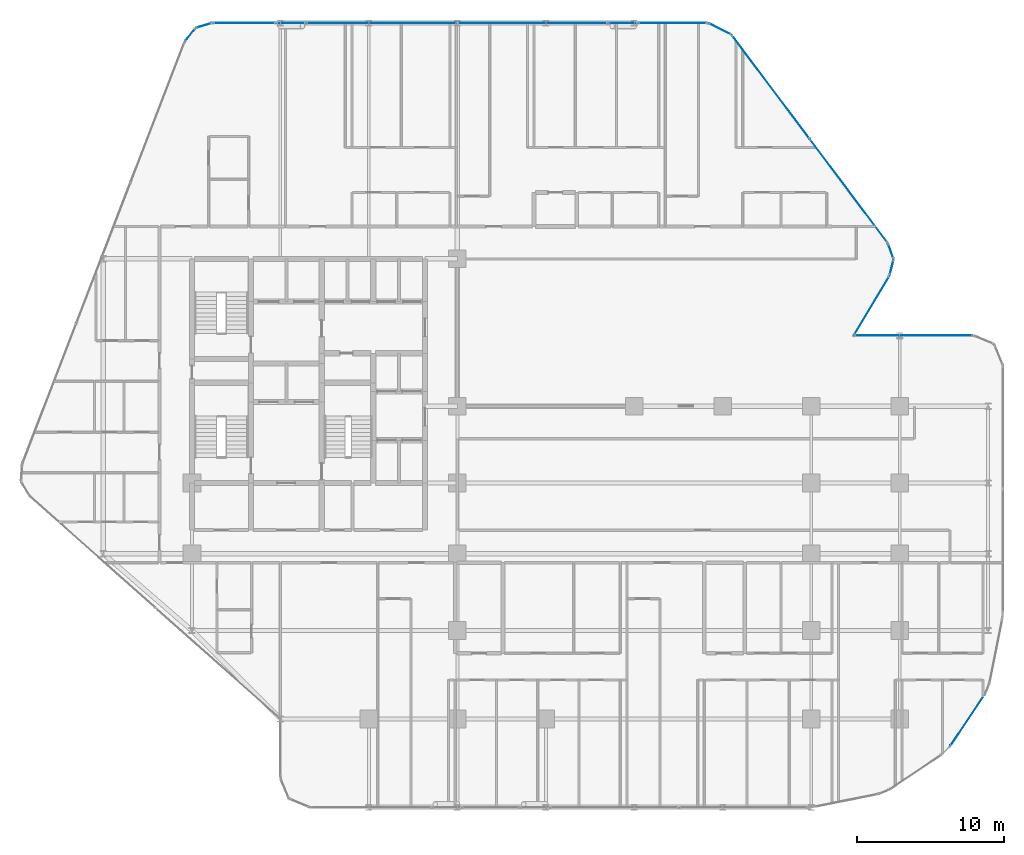
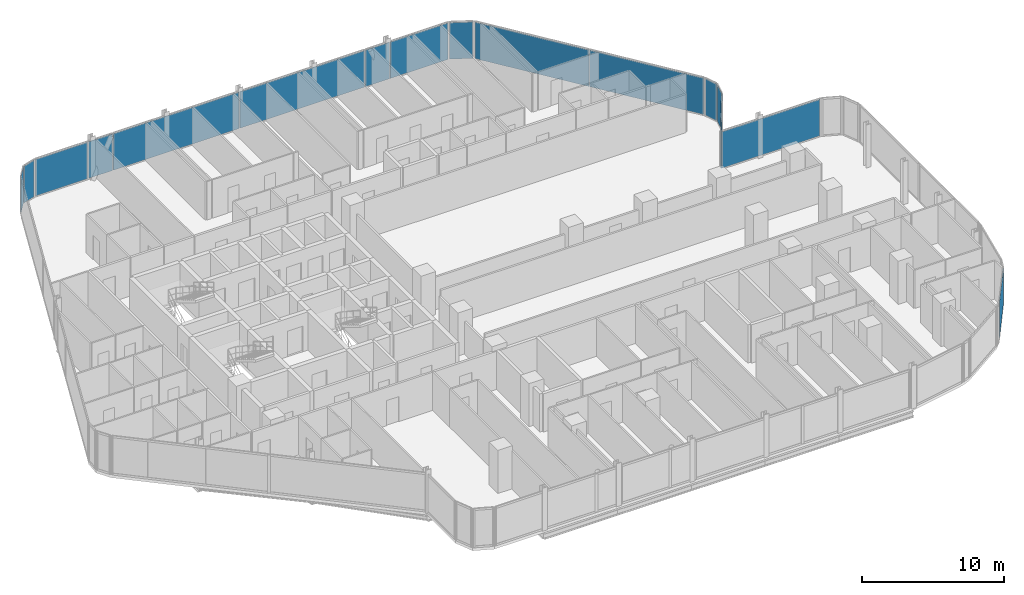
# One storey, part 24 of 33: 16 plates, 14 elements without a shape of their own.
"""IFC4 building model written with IfcOpenShell, lengths in metres."""

from ifc_helpers import new_model, si_unit, direction, frame, origin, origin_2d, place, context, subcontext, project, spatial, rectangle, extrude, material, layer, layer_set, type_object, element, aggregate, save


model = new_model("IFC4")

# Units and contexts
model_context = context("Model", 3, precision=1e-05, world=origin(), true_north=direction((0.0, 1.0)))
body_context = subcontext(model_context, "Body", "Model", "MODEL_VIEW")
ifc_project = project(units=[si_unit("LENGTHUNIT", "METRE"), si_unit("AREAUNIT", "SQUARE_METRE"), si_unit("VOLUMEUNIT", "CUBIC_METRE"), si_unit("PLANEANGLEUNIT", "RADIAN"), si_unit("MASSUNIT", "GRAM", prefix="KILO")], contexts=[model_context])

# Site, building, storey
site_placement = place(None, origin())
site = spatial("IfcSite", under=ifc_project, at=site_placement, CompositionType="ELEMENT")
building_placement = place(site_placement, origin())
building = spatial("IfcBuilding", under=site, at=building_placement, Name="Keshet Zoharim Tower", CompositionType="ELEMENT")
storey_placement = place(building_placement, frame((0.0, 0.0, 57.300048828125)))
storey = spatial("IfcBuildingStorey", under=building, at=storey_placement, Name="L13", CompositionType="ELEMENT", Elevation=57.300048828125)

# Curtain wall, plate
ifc_material_1 = material(Name="Aluminium 6063-T6", Category="aluminium")
ifc_layer_1 = layer(ifc_material_1, 0.179931640625)
ifc_layer_set_1 = layer_set([ifc_layer_1], Name="Aluminium 6063-T6")
curtain_wall_type_1 = type_object("IfcCurtainWallType", Name="CW-SYS-01", PredefinedType="NOTDEFINED", material=ifc_layer_set_1)
curtain_wall_1_placement = place(storey_placement, origin())
curtain_wall_1 = element("IfcCurtainWall", 1, at=curtain_wall_1_placement, inside=storey, type_object=curtain_wall_type_1, Name="L13 Unitised Curtain Wall 05", PredefinedType="NOTDEFINED")
ifc_material_2 = material(Name="Insulated Low-E Clear Glass", Category="glass")
ifc_layer_2 = layer(ifc_material_2, 0.035888671875)
ifc_layer_set_2 = layer_set([ifc_layer_2], Name="Insulated Low-E Clear Glass")
plate_type_1 = type_object("IfcPlateType", Name="CWP-01", PredefinedType="CURTAIN_PANEL", material=ifc_layer_set_2)
plate_1_placement = place(storey_placement, frame((14.8740234375, 53.08349609375, 0.06982421875), z_axis=(0.0, 0.0, 1.0), x_axis=(0.619124525989, 0.785292825205, 0.0)))
plate_1 = element("IfcPlate", 2, at=plate_1_placement, type_object=plate_type_1, Name="CW-01 panel 1.1", PredefinedType="CURTAIN_PANEL", context=body_context, shape_type="SweptSolid", body=[
    extrude(rectangle(XDim=1.045654296875, YDim=0.035888671875, at=origin_2d()), origin(), (0.0, 0.0, 1.0), 3.139892578125),
])
aggregate(curtain_wall_1, [plate_1])

curtain_wall_2_placement = place(storey_placement, origin())
curtain_wall_2 = element("IfcCurtainWall", 3, at=curtain_wall_2_placement, inside=storey, type_object=curtain_wall_type_1, Name="L13 Unitised Curtain Wall 06", PredefinedType="NOTDEFINED")
plate_2_placement = place(storey_placement, frame((15.8076171875, 53.724609375, 0.06982421875), z_axis=(0.0, 0.0, 1.0), x_axis=(0.955212151288, 0.295921857984, 0.0)))
plate_2 = element("IfcPlate", 4, at=plate_2_placement, type_object=plate_type_1, Name="CW-01 panel 1.1", PredefinedType="CURTAIN_PANEL", context=body_context, shape_type="SweptSolid", body=[
    extrude(rectangle(XDim=1.046142578125, YDim=0.035888671875, at=origin_2d()), origin(), (0.0, 0.0, 1.0), 3.139892578125),
])
aggregate(curtain_wall_2, [plate_2])

curtain_wall_3_placement = place(storey_placement, origin())
curtain_wall_3 = element("IfcCurtainWall", 5, at=curtain_wall_3_placement, inside=storey, type_object=curtain_wall_type_1, Name="L13 Unitised Curtain Wall 12", PredefinedType="NOTDEFINED")
plate_3_placement = place(storey_placement, frame((61.093994140625, 34.723388671875, 0.06982421875), z_axis=(0.0, 0.0, 1.0), x_axis=(-0.51446459506, -0.857511621163, 0.0)))
plate_3 = element("IfcPlate", 6, at=plate_3_placement, type_object=plate_type_1, Name="CW-01 panel 1.1", PredefinedType="CURTAIN_PANEL", context=body_context, shape_type="SweptSolid", body=[
    extrude(rectangle(XDim=4.57958984375, YDim=0.035888671875, at=origin_2d()), origin(), (0.0, 0.0, 1.0), 3.139892578125),
])
aggregate(curtain_wall_3, [plate_3])

curtain_wall_4_placement = place(storey_placement, origin())
curtain_wall_4 = element("IfcCurtainWall", 7, at=curtain_wall_4_placement, inside=storey, type_object=curtain_wall_type_1, Name="L13 Unitised Curtain Wall 20", PredefinedType="NOTDEFINED")
plate_4_placement = place(storey_placement, frame((67.60107421875, 6.615966796875, 0.06982421875), z_axis=(0.0, 0.0, 1.0), x_axis=(-0.555563243758, -0.831474282335, 0.0)))
plate_4 = element("IfcPlate", 8, at=plate_4_placement, type_object=plate_type_1, Name="CW-01 panel 1.1", PredefinedType="CURTAIN_PANEL", context=body_context, shape_type="SweptSolid", body=[
    extrude(rectangle(XDim=4.13671875, YDim=0.035888671875, at=origin_2d()), origin(), (0.0, 0.0, 1.0), 3.139892578125),
])
aggregate(curtain_wall_4, [plate_4])

ifc_layer_3 = layer(ifc_material_1, 0.169921875)
ifc_layer_set_3 = layer_set([ifc_layer_3], Name="Aluminium 6063-T6")
curtain_wall_type_2 = type_object("IfcCurtainWallType", Name="CW-SYS-02", PredefinedType="NOTDEFINED", material=ifc_layer_set_3)
curtain_wall_5_placement = place(storey_placement, origin())
curtain_wall_5 = element("IfcCurtainWall", 9, at=curtain_wall_5_placement, inside=storey, type_object=curtain_wall_type_2, Name="L13 Unitised Curtain Wall 07", PredefinedType="NOTDEFINED")
ifc_layer_4 = layer(ifc_material_2, 0.031982421875)
ifc_layer_set_4 = layer_set([ifc_layer_4], Name="Insulated Low-E Clear Glass")
plate_type_2 = type_object("IfcPlateType", Name="CWP-02", PredefinedType="CURTAIN_PANEL", material=ifc_layer_set_4)
plate_5_placement = place(storey_placement, frame((18.55615234375, 53.89990234375, 0.06982421875), z_axis=(0.0, 0.0, 1.0), x_axis=(1.0, 0.0, 0.0)))
plate_5 = element("IfcPlate", 10, at=plate_5_placement, type_object=plate_type_2, Name="CW-02 panel 1.1", PredefinedType="CURTAIN_PANEL", context=body_context, shape_type="SweptSolid", body=[
    extrude(rectangle(XDim=4.224365234375, YDim=0.031982421875, at=origin_2d()), origin(), (0.0, 0.0, 1.0), 3.139892578125),
])
aggregate(curtain_wall_5, [plate_5])

# Curtain wall, plates
curtain_wall_6_placement = place(storey_placement, origin())
curtain_wall_6 = element("IfcCurtainWall", 11, at=curtain_wall_6_placement, inside=storey, type_object=curtain_wall_type_2, Name="L13 Unitised Curtain Wall 07 Part 3", PredefinedType="NOTDEFINED")
plate_6_placement = place(storey_placement, frame((27.86328125, 53.89990234375, 0.06982421875), z_axis=(0.0, 0.0, 1.0), x_axis=(1.0, 0.0, 0.0)))
plate_6 = element("IfcPlate", 12, at=plate_6_placement, type_object=plate_type_2, Name="CW-02 panel 1.1", PredefinedType="CURTAIN_PANEL", context=body_context, shape_type="SweptSolid", body=[
    extrude(rectangle(XDim=10.203369140625, YDim=0.031982421875, at=origin_2d()), origin(), (0.0, 0.0, 1.0), 3.139892578125),
])
plate_7_placement = place(storey_placement, frame((38.1015625, 53.89990234375, 0.06982421875), z_axis=(0.0, 0.0, 1.0), x_axis=(1.0, 0.0, 0.0)))
plate_7 = element("IfcPlate", 13, at=plate_7_placement, type_object=plate_type_2, Name="CW-02 panel 2.1", PredefinedType="CURTAIN_PANEL", context=body_context, shape_type="SweptSolid", body=[
    extrude(rectangle(XDim=10.13330078125, YDim=0.031982421875, at=origin_2d()), origin(), (0.0, 0.0, 1.0), 3.139892578125),
])
aggregate(curtain_wall_6, [plate_6, plate_7])

# Curtain wall, plate
curtain_wall_7_placement = place(storey_placement, origin())
curtain_wall_7 = element("IfcCurtainWall", 14, at=curtain_wall_7_placement, inside=storey, type_object=curtain_wall_type_2, Name="L13 Unitised Curtain Wall 07 Part 5", PredefinedType="NOTDEFINED")
plate_8_placement = place(storey_placement, frame((47.595947265625, 53.89990234375, 0.06982421875), z_axis=(0.0, 0.0, 1.0), x_axis=(1.0, 0.0, 0.0)))
plate_8 = element("IfcPlate", 15, at=plate_8_placement, type_object=plate_type_2, Name="CW-02 panel 1.1", PredefinedType="CURTAIN_PANEL", context=body_context, shape_type="SweptSolid", body=[
    extrude(rectangle(XDim=4.668212890625, YDim=0.031982421875, at=origin_2d()), origin(), (0.0, 0.0, 1.0), 3.139892578125),
])
aggregate(curtain_wall_7, [plate_8])

curtain_wall_8_placement = place(storey_placement, origin())
curtain_wall_8 = element("IfcCurtainWall", 16, at=curtain_wall_8_placement, inside=storey, type_object=curtain_wall_type_2, Name="L13 Unitised Curtain Wall 08", PredefinedType="NOTDEFINED")
plate_9_placement = place(storey_placement, frame((50.800048828125, 53.5, 0.06982421875), z_axis=(0.0, 0.0, 1.0), x_axis=(0.894427191001, -0.447213595499, 0.0)))
plate_9 = element("IfcPlate", 17, at=plate_9_placement, type_object=plate_type_2, Name="CW-02 panel 1.1", PredefinedType="CURTAIN_PANEL", context=body_context, shape_type="SweptSolid", body=[
    extrude(rectangle(XDim=1.64892578125, YDim=0.031982421875, at=origin_2d()), origin(), (0.0, 0.0, 1.0), 3.139892578125),
])
aggregate(curtain_wall_8, [plate_9])

# Curtain wall, plates
curtain_wall_9_placement = place(storey_placement, origin())
curtain_wall_9 = element("IfcCurtainWall", 18, at=curtain_wall_9_placement, inside=storey, type_object=curtain_wall_type_2, Name="L13 Unitised Curtain Wall 09", PredefinedType="NOTDEFINED")
plate_10_placement = place(storey_placement, frame((54.2587890625, 49.554931640625, 0.06982421875), z_axis=(0.0, 0.0, 1.0), x_axis=(0.600000000002, -0.799999999998, 0.0)))
plate_10 = element("IfcPlate", 19, at=plate_10_placement, type_object=plate_type_2, Name="CW-02 panel 1.1", PredefinedType="CURTAIN_PANEL", context=body_context, shape_type="SweptSolid", body=[
    extrude(rectangle(XDim=8.722412109375, YDim=0.031982421875, at=origin_2d()), origin(), (0.0, 0.0, 1.0), 3.139892578125),
])
plate_11_placement = place(storey_placement, frame((59.5341796875, 42.52099609375, 0.06982421875), z_axis=(0.0, 0.0, 1.0), x_axis=(0.600000000002, -0.799999999998, 0.0)))
plate_11 = element("IfcPlate", 20, at=plate_11_placement, type_object=plate_type_2, Name="CW-02 panel 2.1", PredefinedType="CURTAIN_PANEL", context=body_context, shape_type="SweptSolid", body=[
    extrude(rectangle(XDim=8.722412109375, YDim=0.031982421875, at=origin_2d()), origin(), (0.0, 0.0, 1.0), 3.139892578125),
])
aggregate(curtain_wall_9, [plate_10, plate_11])

# Curtain wall, plate
curtain_wall_10_placement = place(storey_placement, origin())
curtain_wall_10 = element("IfcCurtainWall", 21, at=curtain_wall_10_placement, inside=storey, type_object=curtain_wall_type_2, Name="L13 Unitised Curtain Wall 10", PredefinedType="NOTDEFINED")
plate_12_placement = place(storey_placement, frame((62.3916015625, 38.427490234375, 0.06982421875), z_axis=(0.0, 0.0, 1.0), x_axis=(0.340297354046, -0.940317877544, 0.0)))
plate_12 = element("IfcPlate", 22, at=plate_12_placement, type_object=plate_type_2, Name="CW-02 panel 1.1", PredefinedType="CURTAIN_PANEL", context=body_context, shape_type="SweptSolid", body=[
    extrude(rectangle(XDim=1.026611328125, YDim=0.031982421875, at=origin_2d()), origin(), (0.0, 0.0, 1.0), 3.139892578125),
])
aggregate(curtain_wall_10, [plate_12])

curtain_wall_11_placement = place(storey_placement, origin())
curtain_wall_11 = element("IfcCurtainWall", 23, at=curtain_wall_11_placement, inside=storey, type_object=curtain_wall_type_2, Name="L13 Unitised Curtain Wall 11", PredefinedType="NOTDEFINED")
plate_13_placement = place(storey_placement, frame((62.448974609375, 37.31298828125, 0.06982421875), z_axis=(0.0, 0.0, 1.0), x_axis=(-0.241728770141, -0.970343857447, 0.0)))
plate_13 = element("IfcPlate", 24, at=plate_13_placement, type_object=plate_type_2, Name="CW-02 panel 1.1", PredefinedType="CURTAIN_PANEL", context=body_context, shape_type="SweptSolid", body=[
    extrude(rectangle(XDim=1.026611328125, YDim=0.031982421875, at=origin_2d()), origin(), (0.0, 0.0, 1.0), 3.139892578125),
])
aggregate(curtain_wall_11, [plate_13])

curtain_wall_12_placement = place(storey_placement, origin())
curtain_wall_12 = element("IfcCurtainWall", 25, at=curtain_wall_12_placement, inside=storey, type_object=curtain_wall_type_2, Name="L13 Unitised Curtain Wall 13", PredefinedType="NOTDEFINED")
plate_14_placement = place(storey_placement, frame((63.93994140625, 32.699951171875, 0.06982421875), z_axis=(0.0, 0.0, 1.0), x_axis=(1.0, 0.0, 0.0)))
plate_14 = element("IfcPlate", 26, at=plate_14_placement, type_object=plate_type_2, Name="CW-02 panel 1.1", PredefinedType="CURTAIN_PANEL", context=body_context, shape_type="SweptSolid", body=[
    extrude(rectangle(XDim=7.97998046875, YDim=0.031982421875, at=origin_2d()), origin(), (0.0, 0.0, 1.0), 3.139892578125),
])
aggregate(curtain_wall_12, [plate_14])

curtain_wall_13_placement = place(storey_placement, origin())
curtain_wall_13 = element("IfcCurtainWall", 27, at=curtain_wall_13_placement, inside=storey, type_object=curtain_wall_type_2, Name="L13 Unitised Curtain Wall 07 Part 2", PredefinedType="NOTDEFINED")
ifc_material_3 = material(Name="Insulated Aluminium Spandrel Panel", Category="aluminium")
ifc_layer_5 = layer(ifc_material_3, 0.031982421875)
ifc_layer_set_5 = layer_set([ifc_layer_5], Name="Insulated Aluminium Spandrel Panel")
plate_type_3 = type_object("IfcPlateType", Name="CWP-05", PredefinedType="CURTAIN_PANEL", material=ifc_layer_set_5)
plate_15_placement = place(storey_placement, frame((21.715087890625, 53.89990234375, 0.06982421875), z_axis=(0.0, 0.0, 1.0), x_axis=(1.0, 0.0, 0.0)))
plate_15 = element("IfcPlate", 28, at=plate_15_placement, type_object=plate_type_3, Name="CW-02 spandrel panel 1.1", PredefinedType="CURTAIN_PANEL", context=body_context, shape_type="SweptSolid", body=[
    extrude(rectangle(XDim=1.953369140625, YDim=0.031982421875, at=origin_2d()), origin(), (0.0, 0.0, 1.0), 3.139892578125),
])
aggregate(curtain_wall_13, [plate_15])

curtain_wall_14_placement = place(storey_placement, origin())
curtain_wall_14 = element("IfcCurtainWall", 29, at=curtain_wall_14_placement, inside=storey, type_object=curtain_wall_type_2, Name="L13 Unitised Curtain Wall 07 Part 4", PredefinedType="NOTDEFINED")
plate_16_placement = place(storey_placement, frame((44.215087890625, 53.89990234375, 0.06982421875), z_axis=(0.0, 0.0, 1.0), x_axis=(1.0, 0.0, 0.0)))
plate_16 = element("IfcPlate", 30, at=plate_16_placement, type_object=plate_type_3, Name="CW-02 spandrel panel 1.1", PredefinedType="CURTAIN_PANEL", context=body_context, shape_type="SweptSolid", body=[
    extrude(rectangle(XDim=1.953369140625, YDim=0.031982421875, at=origin_2d()), origin(), (0.0, 0.0, 1.0), 3.139892578125),
])
aggregate(curtain_wall_14, [plate_16])

save(model, "model.ifc")
